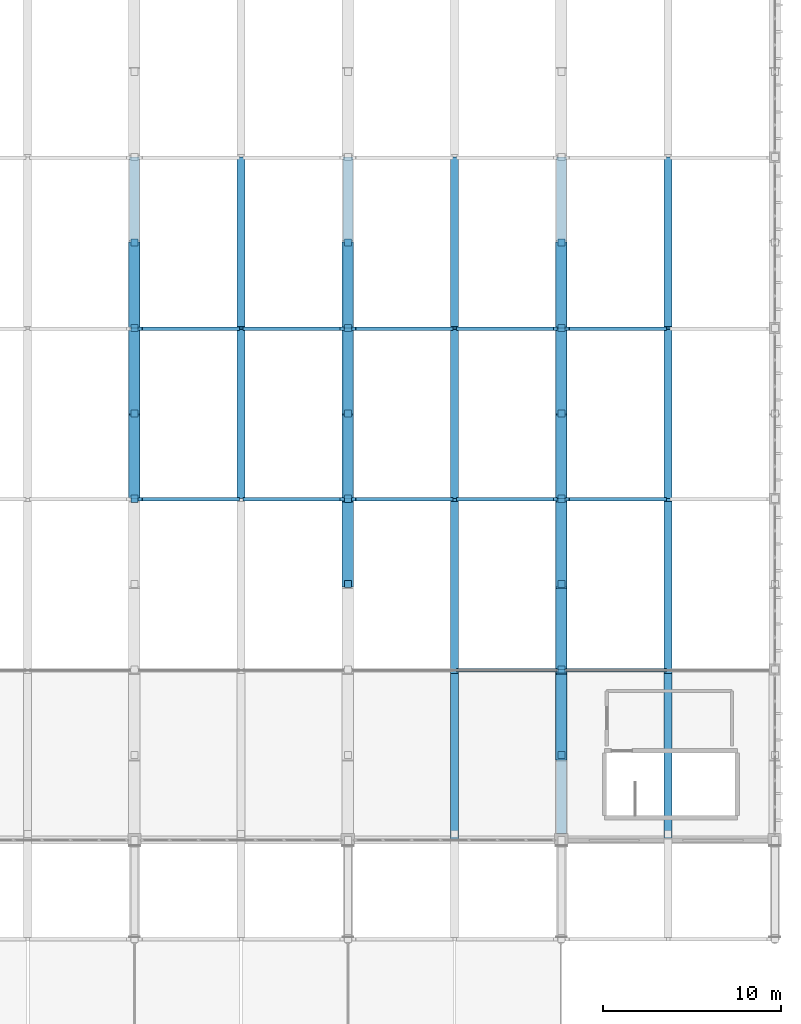
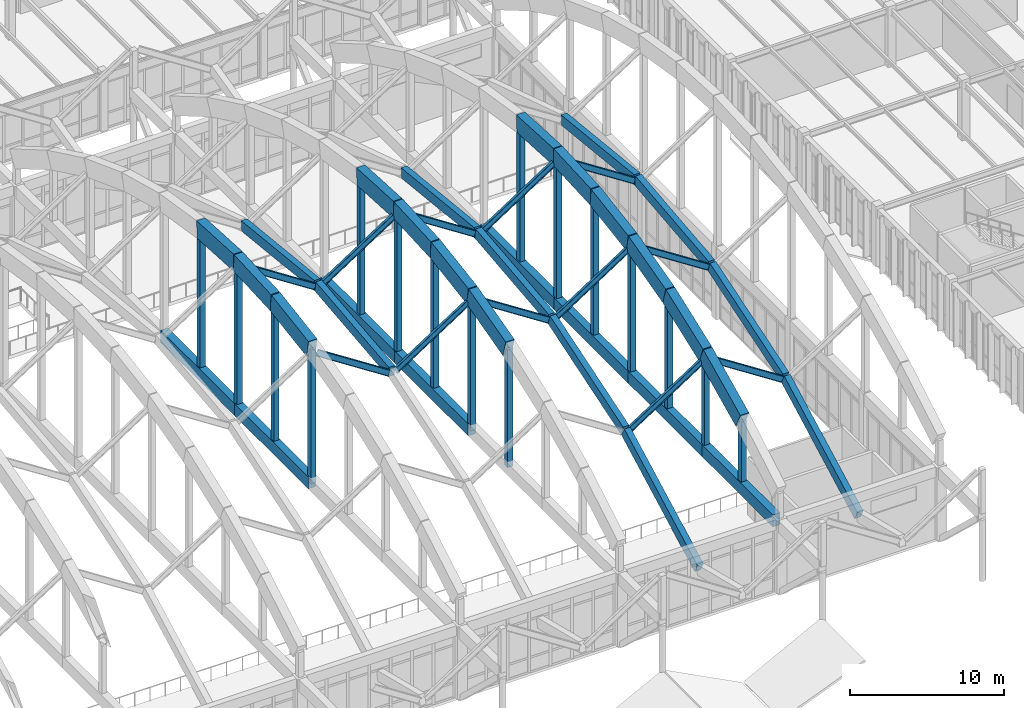
# One storey, part 61 of 236: 30 beams, 29 members.
"""IFC4 building model written with IfcOpenShell, lengths in metres."""

from ifc_helpers import new_model, si_unit, direction, frame, origin, origin_2d, place, context, subcontext, project, spatial, rectangle, i_section, extrude, material, material_profile, profile_set, type_object, element, save


model = new_model("IFC4")

# Units and contexts
model_context = context("Model", 3, precision=1e-05, world=origin(), true_north=direction((0.0, 1.0)))
body_context = subcontext(model_context, "Body", "Model", "MODEL_VIEW")
ifc_project = project(units=[si_unit("LENGTHUNIT", "METRE"), si_unit("AREAUNIT", "SQUARE_METRE"), si_unit("VOLUMEUNIT", "CUBIC_METRE"), si_unit("PLANEANGLEUNIT", "RADIAN"), si_unit("MASSUNIT", "GRAM", prefix="KILO")], contexts=[model_context])

# Site, building, storey
site_placement = place(None, origin())
site = spatial("IfcSite", under=ifc_project, at=site_placement, CompositionType="ELEMENT")
building_placement = place(site_placement, origin())
building = spatial("IfcBuilding", under=site, at=building_placement, Name="Pandanus Reach Market Hall", CompositionType="ELEMENT")
storey_placement = place(building_placement, frame((0.0, 0.0, 5.39990234375)))
storey = spatial("IfcBuildingStorey", under=building, at=storey_placement, Name="L01", CompositionType="ELEMENT", Elevation=5.39990234375)

# Members
ifc_material_1 = material(Name="Concrete N50 (50 MPa)", Category="concrete")
ifc_material_profile_1 = material_profile(ifc_material_1, rectangle(XDim=0.64990234375, YDim=1.35009765625, at=origin_2d()), Name="RC650x1350", Category="LoadBearing")
ifc_profile_set_1 = profile_set([ifc_material_profile_1], Name="Concrete N50 (50 MPa)")
member_type_1 = type_object("IfcMemberType", Name="AR-RC650-E", PredefinedType="CHORD", material=ifc_profile_set_1)
member_1_placement = place(storey_placement, frame((96.0, 48.0, 15.9580078125), z_axis=(0.0, 0.987485724156, 0.15770841635), x_axis=(-1.0, 0.0, 0.0)))
element("IfcMember", 1, at=member_1_placement, inside=storey, type_object=member_type_1, Name="Parabolic arch top chord A5.5", PredefinedType="CHORD", context=body_context, shape_type="SweptSolid", body=[
    extrude(rectangle(XDim=0.64990234375, YDim=1.35009765625, at=origin_2d()), origin(), (0.0, 0.0, 1.0), 4.86083984375),
])
member_2_placement = place(storey_placement, frame((96.0, 52.800048828125, 16.724609375), z_axis=(0.0, 0.998587783012, 0.053126637558), x_axis=(-1.0, 0.0, 0.0)))
element("IfcMember", 2, at=member_2_placement, inside=storey, type_object=member_type_1, Name="Parabolic arch top chord A5.6", PredefinedType="CHORD", context=body_context, shape_type="SweptSolid", body=[
    extrude(rectangle(XDim=0.64990234375, YDim=1.35009765625, at=origin_2d()), origin(), (0.0, 0.0, 1.0), 4.806884765625),
])
member_3_placement = place(storey_placement, frame((96.0, 57.60009765625, 16.97998046875), z_axis=(0.0, 0.998587639649, -0.053129332201), x_axis=(-1.0, 0.0, 0.0)))
element("IfcMember", 3, at=member_3_placement, inside=storey, type_object=member_type_1, Name="Parabolic arch top chord A5.7", PredefinedType="CHORD", context=body_context, shape_type="SweptSolid", body=[
    extrude(rectangle(XDim=0.64990234375, YDim=1.35009765625, at=origin_2d()), origin(), (0.0, 0.0, 1.0), 4.806640625),
])
member_4_placement = place(storey_placement, frame((108.0, 43.199951171875, 14.68017578125), z_axis=(0.0, 0.966344166189, 0.257252701584), x_axis=(-1.0, 0.0, 0.0)))
element("IfcMember", 4, at=member_4_placement, inside=storey, type_object=member_type_1, Name="Parabolic arch top chord A6.4", PredefinedType="CHORD", context=body_context, shape_type="SweptSolid", body=[
    extrude(rectangle(XDim=0.64990234375, YDim=1.35009765625, at=origin_2d()), origin(), (0.0, 0.0, 1.0), 4.96728515625),
])
member_5_placement = place(storey_placement, frame((108.0, 48.0, 15.9580078125), z_axis=(0.0, 0.987485724156, 0.15770841635), x_axis=(-1.0, 0.0, 0.0)))
element("IfcMember", 5, at=member_5_placement, inside=storey, type_object=member_type_1, Name="Parabolic arch top chord A6.5", PredefinedType="CHORD", context=body_context, shape_type="SweptSolid", body=[
    extrude(rectangle(XDim=0.64990234375, YDim=1.35009765625, at=origin_2d()), origin(), (0.0, 0.0, 1.0), 4.86083984375),
])
member_6_placement = place(storey_placement, frame((108.0, 52.800048828125, 16.724609375), z_axis=(0.0, 0.998587783012, 0.053126637558), x_axis=(-1.0, 0.0, 0.0)))
element("IfcMember", 6, at=member_6_placement, inside=storey, type_object=member_type_1, Name="Parabolic arch top chord A6.6", PredefinedType="CHORD", context=body_context, shape_type="SweptSolid", body=[
    extrude(rectangle(XDim=0.64990234375, YDim=1.35009765625, at=origin_2d()), origin(), (0.0, 0.0, 1.0), 4.806884765625),
])
member_7_placement = place(storey_placement, frame((108.0, 57.60009765625, 16.97998046875), z_axis=(0.0, 0.998587639649, -0.053129332201), x_axis=(-1.0, 0.0, 0.0)))
element("IfcMember", 7, at=member_7_placement, inside=storey, type_object=member_type_1, Name="Parabolic arch top chord A6.7", PredefinedType="CHORD", context=body_context, shape_type="SweptSolid", body=[
    extrude(rectangle(XDim=0.64990234375, YDim=1.35009765625, at=origin_2d()), origin(), (0.0, 0.0, 1.0), 4.806640625),
])
member_8_placement = place(storey_placement, frame((120.0, 33.60009765625, 10.59130859375), z_axis=(0.0, 0.901823476756, 0.43210463637), x_axis=(-1.0, 0.0, 0.0)))
element("IfcMember", 8, at=member_8_placement, inside=storey, type_object=member_type_1, Name="Parabolic arch top chord A7.2", PredefinedType="CHORD", context=body_context, shape_type="SweptSolid", body=[
    extrude(rectangle(XDim=0.64990234375, YDim=1.35009765625, at=origin_2d()), origin(), (0.0, 0.0, 1.0), 5.322265625),
])
member_9_placement = place(storey_placement, frame((120.0, 38.39990234375, 12.89111328125), z_axis=(0.0, 0.937030438748, 0.349247701294), x_axis=(-1.0, 0.0, 0.0)))
element("IfcMember", 9, at=member_9_placement, inside=storey, type_object=member_type_1, Name="Parabolic arch top chord A7.3", PredefinedType="CHORD", context=body_context, shape_type="SweptSolid", body=[
    extrude(rectangle(XDim=0.64990234375, YDim=1.35009765625, at=origin_2d()), origin(), (0.0, 0.0, 1.0), 5.12255859375),
])
member_10_placement = place(storey_placement, frame((120.0, 43.199951171875, 14.68017578125), z_axis=(0.0, 0.966344166189, 0.257252701584), x_axis=(-1.0, 0.0, 0.0)))
element("IfcMember", 10, at=member_10_placement, inside=storey, type_object=member_type_1, Name="Parabolic arch top chord A7.4", PredefinedType="CHORD", context=body_context, shape_type="SweptSolid", body=[
    extrude(rectangle(XDim=0.64990234375, YDim=1.35009765625, at=origin_2d()), origin(), (0.0, 0.0, 1.0), 4.96728515625),
])
member_11_placement = place(storey_placement, frame((120.0, 48.0, 15.9580078125), z_axis=(0.0, 0.987485724156, 0.15770841635), x_axis=(-1.0, 0.0, 0.0)))
element("IfcMember", 11, at=member_11_placement, inside=storey, type_object=member_type_1, Name="Parabolic arch top chord A7.5", PredefinedType="CHORD", context=body_context, shape_type="SweptSolid", body=[
    extrude(rectangle(XDim=0.64990234375, YDim=1.35009765625, at=origin_2d()), origin(), (0.0, 0.0, 1.0), 4.86083984375),
])
member_12_placement = place(storey_placement, frame((120.0, 52.800048828125, 16.724609375), z_axis=(0.0, 0.998587783012, 0.053126637558), x_axis=(-1.0, 0.0, 0.0)))
element("IfcMember", 12, at=member_12_placement, inside=storey, type_object=member_type_1, Name="Parabolic arch top chord A7.6", PredefinedType="CHORD", context=body_context, shape_type="SweptSolid", body=[
    extrude(rectangle(XDim=0.64990234375, YDim=1.35009765625, at=origin_2d()), origin(), (0.0, 0.0, 1.0), 4.806884765625),
])
member_13_placement = place(storey_placement, frame((120.0, 57.60009765625, 16.97998046875), z_axis=(0.0, 0.998587639649, -0.053129332201), x_axis=(-1.0, 0.0, 0.0)))
element("IfcMember", 13, at=member_13_placement, inside=storey, type_object=member_type_1, Name="Parabolic arch top chord A7.7", PredefinedType="CHORD", context=body_context, shape_type="SweptSolid", body=[
    extrude(rectangle(XDim=0.64990234375, YDim=1.35009765625, at=origin_2d()), origin(), (0.0, 0.0, 1.0), 4.806640625),
])
ifc_material_profile_2 = material_profile(ifc_material_1, rectangle(XDim=0.39990234375, YDim=0.39990234375, at=origin_2d()), Name="RC400x400", Category="LoadBearing")
ifc_profile_set_2 = profile_set([ifc_material_profile_2], Name="Concrete N50 (50 MPa)")
member_type_2 = type_object("IfcMemberType", Name="AR-WEB400-E", PredefinedType="STRUT", material=ifc_profile_set_2)
member_14_placement = place(storey_placement, frame((96.0, 48.0, 5.3251953125), z_axis=(0.0, 0.0, 1.0), x_axis=(1.0, 0.0, 0.0)))
element("IfcMember", 14, at=member_14_placement, inside=storey, type_object=member_type_2, Name="Arch truss vertical web strut A5.4", PredefinedType="STRUT", context=body_context, shape_type="SweptSolid", body=[
    extrude(rectangle(XDim=0.39990234375, YDim=0.39990234375, at=origin_2d()), origin(), (0.0, 0.0, 1.0), 10.6328125),
])
member_15_placement = place(storey_placement, frame((96.0, 52.800048828125, 5.3251953125), z_axis=(0.0, 0.0, 1.0), x_axis=(1.0, 0.0, 0.0)))
element("IfcMember", 15, at=member_15_placement, inside=storey, type_object=member_type_2, Name="Arch truss vertical web strut A5.5", PredefinedType="STRUT", context=body_context, shape_type="SweptSolid", body=[
    extrude(rectangle(XDim=0.39990234375, YDim=0.39990234375, at=origin_2d()), origin(), (0.0, 0.0, 1.0), 11.3994140625),
])
member_16_placement = place(storey_placement, frame((96.0, 57.60009765625, 5.3251953125), z_axis=(0.0, 0.0, 1.0), x_axis=(1.0, 0.0, 0.0)))
element("IfcMember", 16, at=member_16_placement, inside=storey, type_object=member_type_2, Name="Arch truss vertical web strut A5.6", PredefinedType="STRUT", context=body_context, shape_type="SweptSolid", body=[
    extrude(rectangle(XDim=0.39990234375, YDim=0.39990234375, at=origin_2d()), origin(), (0.0, 0.0, 1.0), 11.65478515625),
])
member_17_placement = place(storey_placement, frame((96.0, 62.39990234375, 5.3251953125), z_axis=(0.0, 0.0, 1.0), x_axis=(1.0, 0.0, 0.0)))
element("IfcMember", 17, at=member_17_placement, inside=storey, type_object=member_type_2, Name="Arch truss vertical web strut A5.7", PredefinedType="STRUT", context=body_context, shape_type="SweptSolid", body=[
    extrude(rectangle(XDim=0.39990234375, YDim=0.39990234375, at=origin_2d()), origin(), (0.0, 0.0, 1.0), 11.3994140625),
])
member_18_placement = place(storey_placement, frame((108.0, 43.199951171875, 5.3251953125), z_axis=(0.0, 0.0, 1.0), x_axis=(1.0, 0.0, 0.0)))
element("IfcMember", 18, at=member_18_placement, inside=storey, type_object=member_type_2, Name="Arch truss vertical web strut A6.3", PredefinedType="STRUT", context=body_context, shape_type="SweptSolid", body=[
    extrude(rectangle(XDim=0.39990234375, YDim=0.39990234375, at=origin_2d()), origin(), (0.0, 0.0, 1.0), 9.35498046875),
])
member_19_placement = place(storey_placement, frame((108.0, 48.0, 5.3251953125), z_axis=(0.0, 0.0, 1.0), x_axis=(1.0, 0.0, 0.0)))
element("IfcMember", 19, at=member_19_placement, inside=storey, type_object=member_type_2, Name="Arch truss vertical web strut A6.4", PredefinedType="STRUT", context=body_context, shape_type="SweptSolid", body=[
    extrude(rectangle(XDim=0.39990234375, YDim=0.39990234375, at=origin_2d()), origin(), (0.0, 0.0, 1.0), 10.6328125),
])
member_20_placement = place(storey_placement, frame((108.0, 52.800048828125, 5.3251953125), z_axis=(0.0, 0.0, 1.0), x_axis=(1.0, 0.0, 0.0)))
element("IfcMember", 20, at=member_20_placement, inside=storey, type_object=member_type_2, Name="Arch truss vertical web strut A6.5", PredefinedType="STRUT", context=body_context, shape_type="SweptSolid", body=[
    extrude(rectangle(XDim=0.39990234375, YDim=0.39990234375, at=origin_2d()), origin(), (0.0, 0.0, 1.0), 11.3994140625),
])
member_21_placement = place(storey_placement, frame((108.0, 57.60009765625, 5.3251953125), z_axis=(0.0, 0.0, 1.0), x_axis=(1.0, 0.0, 0.0)))
element("IfcMember", 21, at=member_21_placement, inside=storey, type_object=member_type_2, Name="Arch truss vertical web strut A6.6", PredefinedType="STRUT", context=body_context, shape_type="SweptSolid", body=[
    extrude(rectangle(XDim=0.39990234375, YDim=0.39990234375, at=origin_2d()), origin(), (0.0, 0.0, 1.0), 11.65478515625),
])
member_22_placement = place(storey_placement, frame((108.0, 62.39990234375, 5.3251953125), z_axis=(0.0, 0.0, 1.0), x_axis=(1.0, 0.0, 0.0)))
element("IfcMember", 22, at=member_22_placement, inside=storey, type_object=member_type_2, Name="Arch truss vertical web strut A6.7", PredefinedType="STRUT", context=body_context, shape_type="SweptSolid", body=[
    extrude(rectangle(XDim=0.39990234375, YDim=0.39990234375, at=origin_2d()), origin(), (0.0, 0.0, 1.0), 11.3994140625),
])
member_23_placement = place(storey_placement, frame((120.0, 33.60009765625, 5.3251953125), z_axis=(0.0, 0.0, 1.0), x_axis=(1.0, 0.0, 0.0)))
element("IfcMember", 23, at=member_23_placement, inside=storey, type_object=member_type_2, Name="Arch truss vertical web strut A7.1", PredefinedType="STRUT", context=body_context, shape_type="SweptSolid", body=[
    extrude(rectangle(XDim=0.39990234375, YDim=0.39990234375, at=origin_2d()), origin(), (0.0, 0.0, 1.0), 5.26611328125),
])
member_24_placement = place(storey_placement, frame((120.0, 38.39990234375, 5.3251953125), z_axis=(0.0, 0.0, 1.0), x_axis=(1.0, 0.0, 0.0)))
element("IfcMember", 24, at=member_24_placement, inside=storey, type_object=member_type_2, Name="Arch truss vertical web strut A7.2", PredefinedType="STRUT", context=body_context, shape_type="SweptSolid", body=[
    extrude(rectangle(XDim=0.39990234375, YDim=0.39990234375, at=origin_2d()), origin(), (0.0, 0.0, 1.0), 7.56591796875),
])
member_25_placement = place(storey_placement, frame((120.0, 43.199951171875, 5.3251953125), z_axis=(0.0, 0.0, 1.0), x_axis=(1.0, 0.0, 0.0)))
element("IfcMember", 25, at=member_25_placement, inside=storey, type_object=member_type_2, Name="Arch truss vertical web strut A7.3", PredefinedType="STRUT", context=body_context, shape_type="SweptSolid", body=[
    extrude(rectangle(XDim=0.39990234375, YDim=0.39990234375, at=origin_2d()), origin(), (0.0, 0.0, 1.0), 9.35498046875),
])
member_26_placement = place(storey_placement, frame((120.0, 48.0, 5.3251953125), z_axis=(0.0, 0.0, 1.0), x_axis=(1.0, 0.0, 0.0)))
element("IfcMember", 26, at=member_26_placement, inside=storey, type_object=member_type_2, Name="Arch truss vertical web strut A7.4", PredefinedType="STRUT", context=body_context, shape_type="SweptSolid", body=[
    extrude(rectangle(XDim=0.39990234375, YDim=0.39990234375, at=origin_2d()), origin(), (0.0, 0.0, 1.0), 10.6328125),
])
member_27_placement = place(storey_placement, frame((120.0, 52.800048828125, 5.3251953125), z_axis=(0.0, 0.0, 1.0), x_axis=(1.0, 0.0, 0.0)))
element("IfcMember", 27, at=member_27_placement, inside=storey, type_object=member_type_2, Name="Arch truss vertical web strut A7.5", PredefinedType="STRUT", context=body_context, shape_type="SweptSolid", body=[
    extrude(rectangle(XDim=0.39990234375, YDim=0.39990234375, at=origin_2d()), origin(), (0.0, 0.0, 1.0), 11.3994140625),
])
member_28_placement = place(storey_placement, frame((120.0, 57.60009765625, 5.3251953125), z_axis=(0.0, 0.0, 1.0), x_axis=(1.0, 0.0, 0.0)))
element("IfcMember", 28, at=member_28_placement, inside=storey, type_object=member_type_2, Name="Arch truss vertical web strut A7.6", PredefinedType="STRUT", context=body_context, shape_type="SweptSolid", body=[
    extrude(rectangle(XDim=0.39990234375, YDim=0.39990234375, at=origin_2d()), origin(), (0.0, 0.0, 1.0), 11.65478515625),
])
member_29_placement = place(storey_placement, frame((120.0, 62.39990234375, 5.3251953125), z_axis=(0.0, 0.0, 1.0), x_axis=(1.0, 0.0, 0.0)))
element("IfcMember", 29, at=member_29_placement, inside=storey, type_object=member_type_2, Name="Arch truss vertical web strut A7.7", PredefinedType="STRUT", context=body_context, shape_type="SweptSolid", body=[
    extrude(rectangle(XDim=0.39990234375, YDim=0.39990234375, at=origin_2d()), origin(), (0.0, 0.0, 1.0), 11.3994140625),
])

# Beams
ifc_material_2 = material(Name="Concrete N40 (40 MPa)", Category="concrete")
ifc_material_profile_3 = material_profile(ifc_material_2, rectangle(XDim=0.449951171875, YDim=0.800048828125, at=origin_2d()), Name="RC450x800", Category="LoadBearing")
ifc_profile_set_3 = profile_set([ifc_material_profile_3], Name="Concrete N40 (40 MPa)")
beam_type_1 = type_object("IfcBeamType", Name="BM-RC450-I", PredefinedType="BEAM", material=ifc_profile_set_3)
for number, where, z_axis, x_axis, name in (
    (30, (102.0, 48.0400390625, 11.976318359375), (0.0, 0.99437897786, 0.105879404936), (-1.0, 0.0, 0.0), "Butterfly valley beam B5.4"),
    (31, (102.0, 57.639892578125, 12.989990234375), (0.0, 0.99437897786, -0.105879404936), (-1.0, 0.0, 0.0), "Butterfly valley beam B5.5"),
):
    element("IfcBeam", number, at=place(storey_placement, frame(where, z_axis=z_axis, x_axis=x_axis)), inside=storey, type_object=beam_type_1, Name=name, PredefinedType="BEAM", context=body_context, shape_type="SweptSolid", body=[
        extrude(rectangle(XDim=0.449951171875, YDim=0.800048828125, at=origin_2d()), origin(), (0.0, 0.0, 1.0), 9.57373046875),
    ])
beam_1_placement = place(storey_placement, frame((114.0, 28.840087890625, 3.815673828125), z_axis=(0.0, 0.882689208935, 0.469957189996), x_axis=(-1.0, 0.0, 0.0)))
element("IfcBeam", 32, at=beam_1_placement, inside=storey, type_object=beam_type_1, Name="Butterfly valley beam B6.2", PredefinedType="BEAM", context=body_context, shape_type="SweptSolid", body=[
    extrude(rectangle(XDim=0.449951171875, YDim=0.800048828125, at=origin_2d()), origin(), (0.0, 0.0, 1.0), 10.78515625),
])
beam_2_placement = place(storey_placement, frame((114.0, 38.43994140625, 8.918212890625), z_axis=(0.0, 0.952580593406, 0.30428639974), x_axis=(-1.0, 0.0, 0.0)))
element("IfcBeam", 33, at=beam_2_placement, inside=storey, type_object=beam_type_1, Name="Butterfly valley beam B6.3", PredefinedType="BEAM", context=body_context, shape_type="SweptSolid", body=[
    extrude(rectangle(XDim=0.449951171875, YDim=0.800048828125, at=origin_2d()), origin(), (0.0, 0.0, 1.0), 9.993896484375),
])
for number, where, z_axis, x_axis, name in (
    (34, (114.0, 48.0400390625, 11.976318359375), (0.0, 0.99437897786, 0.105879404936), (-1.0, 0.0, 0.0), "Butterfly valley beam B6.4"),
    (35, (114.0, 57.639892578125, 12.989990234375), (0.0, 0.99437897786, -0.105879404936), (-1.0, 0.0, 0.0), "Butterfly valley beam B6.5"),
):
    element("IfcBeam", number, at=place(storey_placement, frame(where, z_axis=z_axis, x_axis=x_axis)), inside=storey, type_object=beam_type_1, Name=name, PredefinedType="BEAM", context=body_context, shape_type="SweptSolid", body=[
        extrude(rectangle(XDim=0.449951171875, YDim=0.800048828125, at=origin_2d()), origin(), (0.0, 0.0, 1.0), 9.57373046875),
    ])
beam_3_placement = place(storey_placement, frame((126.0, 28.840087890625, 3.815673828125), z_axis=(0.0, 0.882689208935, 0.469957189996), x_axis=(-1.0, 0.0, 0.0)))
element("IfcBeam", 36, at=beam_3_placement, inside=storey, type_object=beam_type_1, Name="Butterfly valley beam B7.2", PredefinedType="BEAM", context=body_context, shape_type="SweptSolid", body=[
    extrude(rectangle(XDim=0.449951171875, YDim=0.800048828125, at=origin_2d()), origin(), (0.0, 0.0, 1.0), 10.78515625),
])
beam_4_placement = place(storey_placement, frame((126.0, 38.43994140625, 8.918212890625), z_axis=(0.0, 0.952580593406, 0.30428639974), x_axis=(-1.0, 0.0, 0.0)))
element("IfcBeam", 37, at=beam_4_placement, inside=storey, type_object=beam_type_1, Name="Butterfly valley beam B7.3", PredefinedType="BEAM", context=body_context, shape_type="SweptSolid", body=[
    extrude(rectangle(XDim=0.449951171875, YDim=0.800048828125, at=origin_2d()), origin(), (0.0, 0.0, 1.0), 9.993896484375),
])
for number, where, z_axis, x_axis, name in (
    (38, (126.0, 48.0400390625, 11.976318359375), (0.0, 0.99437897786, 0.105879404936), (-1.0, 0.0, 0.0), "Butterfly valley beam B7.4"),
    (39, (126.0, 57.639892578125, 12.989990234375), (0.0, 0.99437897786, -0.105879404936), (-1.0, 0.0, 0.0), "Butterfly valley beam B7.5"),
):
    element("IfcBeam", number, at=place(storey_placement, frame(where, z_axis=z_axis, x_axis=x_axis)), inside=storey, type_object=beam_type_1, Name=name, PredefinedType="BEAM", context=body_context, shape_type="SweptSolid", body=[
        extrude(rectangle(XDim=0.449951171875, YDim=0.800048828125, at=origin_2d()), origin(), (0.0, 0.0, 1.0), 9.57373046875),
    ])
ifc_material_profile_4 = material_profile(ifc_material_1, rectangle(XDim=0.550048828125, YDim=0.949951171875, at=origin_2d()), Name="RC550x950", Category="LoadBearing")
ifc_profile_set_4 = profile_set([ifc_material_profile_4], Name="Concrete N50 (50 MPa)")
beam_type_2 = type_object("IfcBeamType", Name="BM-RC550-I", PredefinedType="BEAM", material=ifc_profile_set_4)
beam_5_placement = place(storey_placement, frame((96.0, 48.0, 5.3251953125), z_axis=(0.0, 1.0, 0.0), x_axis=(-1.0, 0.0, 0.0)))
element("IfcBeam", 40, at=beam_5_placement, inside=storey, type_object=beam_type_2, Name="Parabolic arch tie girder A5.3", PredefinedType="BEAM", context=body_context, shape_type="SweptSolid", body=[
    extrude(rectangle(XDim=0.550048828125, YDim=0.949951171875, at=origin_2d()), origin(), (0.0, 0.0, 1.0), 9.60009765625),
])
beam_6_placement = place(storey_placement, frame((96.0, 57.60009765625, 5.3251953125), z_axis=(0.0, 1.0, 0.0), x_axis=(-1.0, 0.0, 0.0)))
element("IfcBeam", 41, at=beam_6_placement, inside=storey, type_object=beam_type_2, Name="Parabolic arch tie girder A5.4", PredefinedType="BEAM", context=body_context, shape_type="SweptSolid", body=[
    extrude(rectangle(XDim=0.550048828125, YDim=0.949951171875, at=origin_2d()), origin(), (0.0, 0.0, 1.0), 9.599853515625),
])
beam_7_placement = place(storey_placement, frame((108.0, 48.0, 5.3251953125), z_axis=(0.0, 1.0, 0.0), x_axis=(-1.0, 0.0, 0.0)))
element("IfcBeam", 42, at=beam_7_placement, inside=storey, type_object=beam_type_2, Name="Parabolic arch tie girder A6.3", PredefinedType="BEAM", context=body_context, shape_type="SweptSolid", body=[
    extrude(rectangle(XDim=0.550048828125, YDim=0.949951171875, at=origin_2d()), origin(), (0.0, 0.0, 1.0), 9.60009765625),
])
beam_8_placement = place(storey_placement, frame((108.0, 57.60009765625, 5.3251953125), z_axis=(0.0, 1.0, 0.0), x_axis=(-1.0, 0.0, 0.0)))
element("IfcBeam", 43, at=beam_8_placement, inside=storey, type_object=beam_type_2, Name="Parabolic arch tie girder A6.4", PredefinedType="BEAM", context=body_context, shape_type="SweptSolid", body=[
    extrude(rectangle(XDim=0.550048828125, YDim=0.949951171875, at=origin_2d()), origin(), (0.0, 0.0, 1.0), 9.599853515625),
])
beam_9_placement = place(storey_placement, frame((120.0, 29.173095703125, 5.3251953125), z_axis=(0.0, 1.0, 0.0), x_axis=(-1.0, 0.0, 0.0)))
element("IfcBeam", 44, at=beam_9_placement, inside=storey, type_object=beam_type_2, Name="Parabolic arch tie girder A7.1", PredefinedType="BEAM", context=body_context, shape_type="SweptSolid", body=[
    extrude(rectangle(XDim=0.550048828125, YDim=0.949951171875, at=origin_2d()), origin(), (0.0, 0.0, 1.0), 9.226806640625),
])
for number, where, z_axis, x_axis, name in (
    (45, (120.0, 38.39990234375, 5.3251953125), (0.0, 1.0, 0.0), (-1.0, 0.0, 0.0), "Parabolic arch tie girder A7.2"),
    (46, (120.0, 48.0, 5.3251953125), (0.0, 1.0, 0.0), (-1.0, 0.0, 0.0), "Parabolic arch tie girder A7.3"),
):
    element("IfcBeam", number, at=place(storey_placement, frame(where, z_axis=z_axis, x_axis=x_axis)), inside=storey, type_object=beam_type_2, Name=name, PredefinedType="BEAM", context=body_context, shape_type="SweptSolid", body=[
        extrude(rectangle(XDim=0.550048828125, YDim=0.949951171875, at=origin_2d()), origin(), (0.0, 0.0, 1.0), 9.60009765625),
    ])
beam_10_placement = place(storey_placement, frame((120.0, 57.60009765625, 5.3251953125), z_axis=(0.0, 1.0, 0.0), x_axis=(-1.0, 0.0, 0.0)))
element("IfcBeam", 47, at=beam_10_placement, inside=storey, type_object=beam_type_2, Name="Parabolic arch tie girder A7.4", PredefinedType="BEAM", context=body_context, shape_type="SweptSolid", body=[
    extrude(rectangle(XDim=0.550048828125, YDim=0.949951171875, at=origin_2d()), origin(), (0.0, 0.0, 1.0), 9.599853515625),
])
ifc_material_3 = material(Name="Steel Grade 350 (350 MPa)", Category="steel")
ifc_material_profile_5 = material_profile(ifc_material_3, i_section(OverallWidth=0.18994140625, OverallDepth=0.45703125, WebThickness=0.009033203125, FlangeThickness=0.014404296875, at=origin_2d()), Name="460UB74.6", Category="LoadBearing")
ifc_profile_set_5 = profile_set([ifc_material_profile_5], Name="Steel Grade 350 (350 MPa)")
beam_type_3 = type_object("IfcBeamType", Name="BM-UB460-I", PredefinedType="BEAM", material=ifc_profile_set_5)
for number, where, z_axis, x_axis, name in (
    (48, (96.320068359375, 47.9599609375, 15.499267578125), (0.839070527962, 0.0, -0.544022654956), (0.0, 1.0, 0.0), "Butterfly transverse rib B5.3L"),
    (49, (102.219970703125, 47.9599609375, 11.959228515625), (0.839070527962, 0.0, 0.544022654956), (0.0, 1.0, 0.0), "Butterfly transverse rib B5.3R"),
    (50, (96.320068359375, 57.56005859375, 16.530029296875), (0.839070527962, 0.0, -0.544022654956), (0.0, 1.0, 0.0), "Butterfly transverse rib B5.4L"),
    (51, (102.219970703125, 57.56005859375, 12.989990234375), (0.839070527962, 0.0, 0.544022654956), (0.0, 1.0, 0.0), "Butterfly transverse rib B5.4R"),
    (52, (114.219970703125, 38.360107421875, 8.88427734375), (0.839070527962, 0.0, 0.544022654956), (0.0, 1.0, 0.0), "Butterfly transverse rib B6.2R"),
    (53, (108.320068359375, 47.9599609375, 15.499267578125), (0.839070527962, 0.0, -0.544022654956), (0.0, 1.0, 0.0), "Butterfly transverse rib B6.3L"),
    (54, (114.219970703125, 47.9599609375, 11.959228515625), (0.839070527962, 0.0, 0.544022654956), (0.0, 1.0, 0.0), "Butterfly transverse rib B6.3R"),
    (55, (108.320068359375, 57.56005859375, 16.530029296875), (0.839070527962, 0.0, -0.544022654956), (0.0, 1.0, 0.0), "Butterfly transverse rib B6.4L"),
    (56, (114.219970703125, 57.56005859375, 12.989990234375), (0.839070527962, 0.0, 0.544022654956), (0.0, 1.0, 0.0), "Butterfly transverse rib B6.4R"),
    (57, (120.320068359375, 38.360107421875, 12.42431640625), (0.839070527962, 0.0, -0.544022654956), (0.0, 1.0, 0.0), "Butterfly transverse rib B7.2L"),
    (58, (120.320068359375, 47.9599609375, 15.499267578125), (0.839070527962, 0.0, -0.544022654956), (0.0, 1.0, 0.0), "Butterfly transverse rib B7.3L"),
    (59, (120.320068359375, 57.56005859375, 16.530029296875), (0.839070527962, 0.0, -0.544022654956), (0.0, 1.0, 0.0), "Butterfly transverse rib B7.4L"),
):
    element("IfcBeam", number, at=place(storey_placement, frame(where, z_axis=z_axis, x_axis=x_axis)), inside=storey, type_object=beam_type_3, Name=name, PredefinedType="BEAM", context=body_context, shape_type="SweptSolid", body=[
        extrude(i_section(OverallWidth=0.18994140625, OverallDepth=0.45703125, WebThickness=0.009033203125, FlangeThickness=0.014404296875, at=origin_2d()), origin(), (0.0, 0.0, 1.0), 6.507080078125),
    ])

save(model, "model.ifc")
